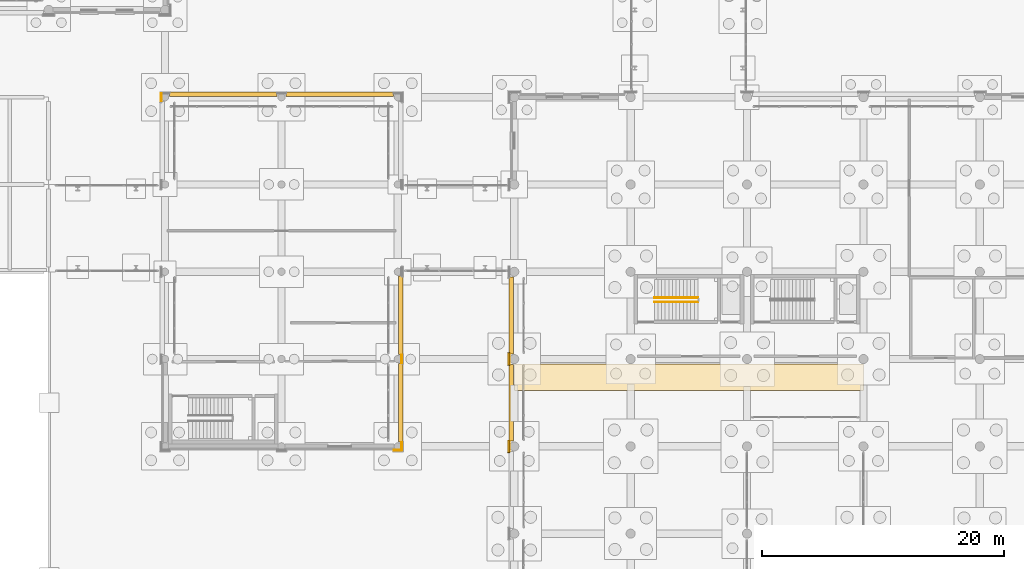
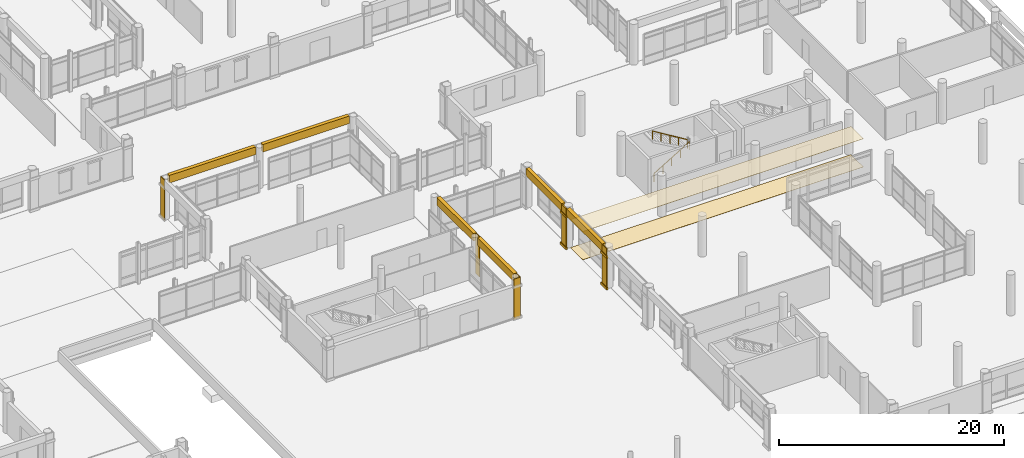
# One storey, part 180 of 196: 18 coverings, 2 railings.
"""IFC4 building model written with IfcOpenShell, lengths in metres."""

from ifc_helpers import new_model, si_unit, direction, frame, origin, origin_2d, place, context, subcontext, project, spatial, polyline, rectangle, circle, outline, extrude, material, layer, layer_set, type_object, element, save


model = new_model("IFC4")

# Units and contexts
model_context = context("Model", 3, precision=1e-05, world=origin(), true_north=direction((0.0, 1.0)))
body_context = subcontext(model_context, "Body", "Model", "MODEL_VIEW")
ifc_project = project(units=[si_unit("LENGTHUNIT", "METRE"), si_unit("AREAUNIT", "SQUARE_METRE"), si_unit("VOLUMEUNIT", "CUBIC_METRE"), si_unit("PLANEANGLEUNIT", "RADIAN"), si_unit("MASSUNIT", "GRAM", prefix="KILO")], contexts=[model_context])

# Site, building, storey
site_placement = place(None, origin())
site = spatial("IfcSite", under=ifc_project, at=site_placement, CompositionType="ELEMENT")
building_placement = place(site_placement, origin())
building = spatial("IfcBuilding", under=site, at=building_placement, Name="Asteropetra Specialist Clinic", CompositionType="ELEMENT")
storey_placement = place(building_placement, origin())
storey = spatial("IfcBuildingStorey", under=building, at=storey_placement, Name="L00", CompositionType="ELEMENT", Elevation=0.0)

# Coverings
ifc_material_1 = material(Name="Hygienic acoustic ceiling tile")
ifc_layer_1 = layer(ifc_material_1, 0.02490234375)
ifc_layer_set_1 = layer_set([ifc_layer_1], Name="Hygienic acoustic ceiling tile")
covering_type_1 = type_object("IfcCoveringType", Name="CLG-ACOUSTIC", PredefinedType="CEILING", material=ifc_layer_set_1)
covering_1_placement = place(storey_placement, frame((0.0, 0.0, 3.050048828125)))
element("IfcCovering", 1, at=covering_1_placement, inside=storey, type_object=covering_type_1, Name="Acoustic Ceiling CLG-L00-V6", PredefinedType="CEILING", context=body_context, shape_type="SweptSolid", body=[
    extrude(outline(polyline([(105.60009765625, 38.199951171875), (134.39990234375, 38.199951171875), (134.39990234375, 40.39990234375), (105.60009765625, 40.39990234375), (105.60009765625, 38.199951171875)])), origin(), (0.0, 0.0, 1.0), 0.02490234375),
])
ifc_material_2 = material(Name="Pentelic marble ashlar", Category="masonry")
ifc_layer_2 = layer(ifc_material_2, 0.159912109375)
ifc_layer_set_2 = layer_set([ifc_layer_2], Name="Pentelic marble ashlar")
covering_type_2 = type_object("IfcCoveringType", Name="CRN-ENTAB-600", PredefinedType="MOLDING", material=ifc_layer_set_2)
for number, where, z_axis, x_axis, name in (
    (2, (81.60009765625, 62.639892578125, 3.58984375), (0.0, 0.0, 1.0), (1.0, 0.0, 0.0), "Stoa Classical Entablature SE-0046"),
    (3, (91.199951171875, 62.639892578125, 3.58984375), (0.0, 0.0, 1.0), (1.0, 0.0, 0.0), "Stoa Classical Entablature SE-0047"),
):
    element("IfcCovering", number, at=place(storey_placement, frame(where, z_axis=z_axis, x_axis=x_axis)), inside=storey, type_object=covering_type_2, Name=name, PredefinedType="MOLDING", context=body_context, shape_type="SweptSolid", body=[
        extrude(rectangle(XDim=8.8798828125, YDim=0.360107421875, at=origin_2d()), origin(), (0.0, 0.0, 1.0), 0.820068359375),
    ])
for number, where, z_axis, x_axis, name in (
    (4, (96.239990234375, 37.199951171875, 3.58984375), (0.0, 0.0, 1.0), (1.0, 0.0, 0.0), "Stoa Classical Entablature SE-0048"),
    (5, (96.239990234375, 44.39990234375, 3.58984375), (0.0, 0.0, 1.0), (1.0, 0.0, 0.0), "Stoa Classical Entablature SE-0050"),
):
    element("IfcCovering", number, at=place(storey_placement, frame(where, z_axis=z_axis, x_axis=x_axis)), inside=storey, type_object=covering_type_2, Name=name, PredefinedType="MOLDING", context=body_context, shape_type="SweptSolid", body=[
        extrude(rectangle(XDim=0.360107421875, YDim=6.47998046875, at=origin_2d()), origin(), (0.0, 0.0, 1.0), 0.820068359375),
    ])
for number, where, z_axis, x_axis, name in (
    (6, (105.360107421875, 37.199951171875, 3.58984375), (0.0, 0.0, 1.0), (1.0, 0.0, 0.0), "Stoa Classical Entablature SE-0082"),
    (7, (105.360107421875, 44.39990234375, 3.58984375), (0.0, 0.0, 1.0), (1.0, 0.0, 0.0), "Stoa Classical Entablature SE-0084"),
):
    element("IfcCovering", number, at=place(storey_placement, frame(where, z_axis=z_axis, x_axis=x_axis)), inside=storey, type_object=covering_type_2, Name=name, PredefinedType="MOLDING", context=body_context, shape_type="SweptSolid", body=[
        extrude(rectangle(XDim=0.360107421875, YDim=6.330078125, at=origin_2d()), origin(), (0.0, 0.0, 1.0), 0.820068359375),
    ])
covering_2_placement = place(storey_placement, frame((76.468017578125, 62.39990234375, 0.02001953125), z_axis=(0.0, 0.0, 1.0), x_axis=(1.0, 0.0, 0.0)))
element("IfcCovering", 8, at=covering_2_placement, inside=storey, type_object=covering_type_2, Name="Neoclassical Pilaster Facing CM-0397", PredefinedType="MOLDING", context=body_context, shape_type="SweptSolid", body=[
    extrude(rectangle(XDim=0.080078125, YDim=0.679931640625, at=origin_2d()), origin(), (0.0, 0.0, 1.0), 4.3798828125),
])
covering_3_placement = place(storey_placement, frame((96.0, 33.26806640625, 0.02001953125), z_axis=(0.0, 0.0, 1.0), x_axis=(1.0, 0.0, 0.0)))
element("IfcCovering", 9, at=covering_3_placement, inside=storey, type_object=covering_type_2, Name="Neoclassical Pilaster Facing CM-0406", PredefinedType="MOLDING", context=body_context, shape_type="SweptSolid", body=[
    extrude(rectangle(XDim=0.679931640625, YDim=0.080078125, at=origin_2d()), origin(), (0.0, 0.0, 1.0), 4.3798828125),
])
for number, where, z_axis, x_axis, name in (
    (10, (96.33203125, 33.60009765625, 0.02001953125), (0.0, 0.0, 1.0), (1.0, 0.0, 0.0), "Neoclassical Pilaster Facing CM-0409"),
    (11, (96.33203125, 40.800048828125, 0.02001953125), (0.0, 0.0, 1.0), (1.0, 0.0, 0.0), "Neoclassical Pilaster Facing CM-0412"),
):
    element("IfcCovering", number, at=place(storey_placement, frame(where, z_axis=z_axis, x_axis=x_axis)), inside=storey, type_object=covering_type_2, Name=name, PredefinedType="MOLDING", context=body_context, shape_type="SweptSolid", body=[
        extrude(rectangle(XDim=0.080078125, YDim=0.679931640625, at=origin_2d()), origin(), (0.0, 0.0, 1.0), 4.3798828125),
    ])
covering_4_placement = place(storey_placement, frame((105.193115234375, 33.60009765625, 0.02001953125), z_axis=(0.0, 0.0, 1.0), x_axis=(1.0, 0.0, 0.0)))
element("IfcCovering", 12, at=covering_4_placement, inside=storey, type_object=covering_type_2, Name="Neoclassical Pilaster Facing CM-0935", PredefinedType="MOLDING", context=body_context, shape_type="SweptSolid", body=[
    extrude(rectangle(XDim=0.080078125, YDim=0.830078125, at=origin_2d()), origin(), (0.0, 0.0, 1.0), 4.3798828125),
])
for number, where, z_axis, x_axis, name in (
    (13, (105.153076171875, 33.60009765625, 0.009765625), (0.0, 0.0, 1.0), (1.0, 0.0, 0.0), "Doric Base CC-0936"),
    (14, (105.153076171875, 33.60009765625, 3.43017578125), (0.0, 0.0, 1.0), (1.0, 0.0, 0.0), "Doric Capital CC-0937"),
):
    element("IfcCovering", number, at=place(storey_placement, frame(where, z_axis=z_axis, x_axis=x_axis)), inside=storey, type_object=covering_type_2, Name=name, PredefinedType="MOLDING", context=body_context, shape_type="SweptSolid", body=[
        extrude(rectangle(XDim=0.159912109375, YDim=1.030029296875, at=origin_2d()), origin(), (0.0, 0.0, 1.0), 0.260009765625),
    ])
covering_5_placement = place(storey_placement, frame((105.193115234375, 40.800048828125, 0.02001953125), z_axis=(0.0, 0.0, 1.0), x_axis=(1.0, 0.0, 0.0)))
element("IfcCovering", 15, at=covering_5_placement, inside=storey, type_object=covering_type_2, Name="Neoclassical Pilaster Facing CM-0938", PredefinedType="MOLDING", context=body_context, shape_type="SweptSolid", body=[
    extrude(rectangle(XDim=0.080078125, YDim=0.830078125, at=origin_2d()), origin(), (0.0, 0.0, 1.0), 4.3798828125),
])
for number, where, z_axis, x_axis, name in (
    (16, (105.153076171875, 40.800048828125, 0.009765625), (0.0, 0.0, 1.0), (1.0, 0.0, 0.0), "Doric Base CC-0939"),
    (17, (105.153076171875, 40.800048828125, 3.43017578125), (0.0, 0.0, 1.0), (1.0, 0.0, 0.0), "Doric Capital CC-0940"),
):
    element("IfcCovering", number, at=place(storey_placement, frame(where, z_axis=z_axis, x_axis=x_axis)), inside=storey, type_object=covering_type_2, Name=name, PredefinedType="MOLDING", context=body_context, shape_type="SweptSolid", body=[
        extrude(rectangle(XDim=0.159912109375, YDim=1.030029296875, at=origin_2d()), origin(), (0.0, 0.0, 1.0), 0.260009765625),
    ])
ifc_material_3 = material(Name="Attic marble terrazzo flooring", Category="masonry")
ifc_layer_3 = layer(ifc_material_3, 0.02001953125)
ifc_layer_set_3 = layer_set([ifc_layer_3], Name="Attic marble terrazzo flooring")
covering_type_3 = type_object("IfcCoveringType", Name="FLR-TERRAZZO", PredefinedType="FLOORING", material=ifc_layer_set_3)
covering_6_placement = place(storey_placement, origin())
element("IfcCovering", 18, at=covering_6_placement, inside=storey, type_object=covering_type_3, Name="Terrazzo Flooring CLG-L00-V6", PredefinedType="FLOORING", context=body_context, shape_type="SweptSolid", body=[
    extrude(outline(polyline([(105.60009765625, 38.199951171875), (134.39990234375, 38.199951171875), (134.39990234375, 40.39990234375), (105.60009765625, 40.39990234375), (105.60009765625, 38.199951171875)])), origin(), (0.0, 0.0, 1.0), 0.02001953125),
])

# Railings
ifc_material_4 = material(Name="Brushed stainless steel handrail", Category="steel")
railing_type = type_object("IfcRailingType", Name="HRL-STAIR-920", PredefinedType="HANDRAIL", material=ifc_material_4)
railing_1_placement = place(storey_placement, frame((117.14990234375, 45.52001953125, 0.0)))
element("IfcRailing", 19, at=railing_1_placement, inside=storey, type_object=railing_type, Name="Stair Handrail ST10-L00 F1", PredefinedType="HANDRAIL", context=body_context, shape_type="SweptSolid", body=[
    extrude(circle(Radius=0.02392578125, at=origin_2d()), frame((0.0, 0.0, 0.89599609375), z_axis=(0.85223722916, 0.0, 0.523155526811), x_axis=(0.0, 1.0, 0.0)), (0.0, 0.0, 1.0), 4.224365234375),
    extrude(circle(Radius=0.02099609375, at=origin_2d()), origin(), (0.0, 0.0, 1.0), 0.871826171875),
    extrude(circle(Radius=0.02099609375, at=origin_2d()), frame((0.89990234375, 0.0, 0.552490234375)), (0.0, 0.0, 1.0), 0.871826171875),
    extrude(circle(Radius=0.02099609375, at=origin_2d()), frame((1.800048828125, 0.0, 1.10498046875)), (0.0, 0.0, 1.0), 0.871826171875),
    extrude(circle(Radius=0.02099609375, at=origin_2d()), frame((2.7001953125, 0.0, 1.657470703125)), (0.0, 0.0, 1.0), 0.871826171875),
    extrude(circle(Radius=0.02099609375, at=origin_2d()), frame((3.60009765625, 0.0, 2.2099609375)), (0.0, 0.0, 1.0), 0.871826171875),
])
railing_2_placement = place(storey_placement, frame((120.75, 45.860107421875, 2.2099609375)))
element("IfcRailing", 20, at=railing_2_placement, inside=storey, type_object=railing_type, Name="Stair Handrail ST10-L00 F2", PredefinedType="HANDRAIL", context=body_context, shape_type="SweptSolid", body=[
    extrude(circle(Radius=0.02392578125, at=origin_2d()), frame((0.0, 0.0, 0.89599609375), z_axis=(-0.85223722916, 0.0, 0.523155526811), x_axis=(0.0, -1.0, 0.0)), (0.0, 0.0, 1.0), 4.224365234375),
    extrude(circle(Radius=0.02099609375, at=origin_2d()), origin(), (0.0, 0.0, 1.0), 0.871826171875),
    extrude(circle(Radius=0.02099609375, at=origin_2d()), frame((-0.89990234375, 0.0, 0.552490234375)), (0.0, 0.0, 1.0), 0.871826171875),
    extrude(circle(Radius=0.02099609375, at=origin_2d()), frame((-1.800048828125, 0.0, 1.10498046875)), (0.0, 0.0, 1.0), 0.871826171875),
    extrude(circle(Radius=0.02099609375, at=origin_2d()), frame((-2.7001953125, 0.0, 1.657470703125)), (0.0, 0.0, 1.0), 0.871826171875),
    extrude(circle(Radius=0.02099609375, at=origin_2d()), frame((-3.60009765625, 0.0, 2.2099609375)), (0.0, 0.0, 1.0), 0.871826171875),
])

save(model, "model.ifc")
